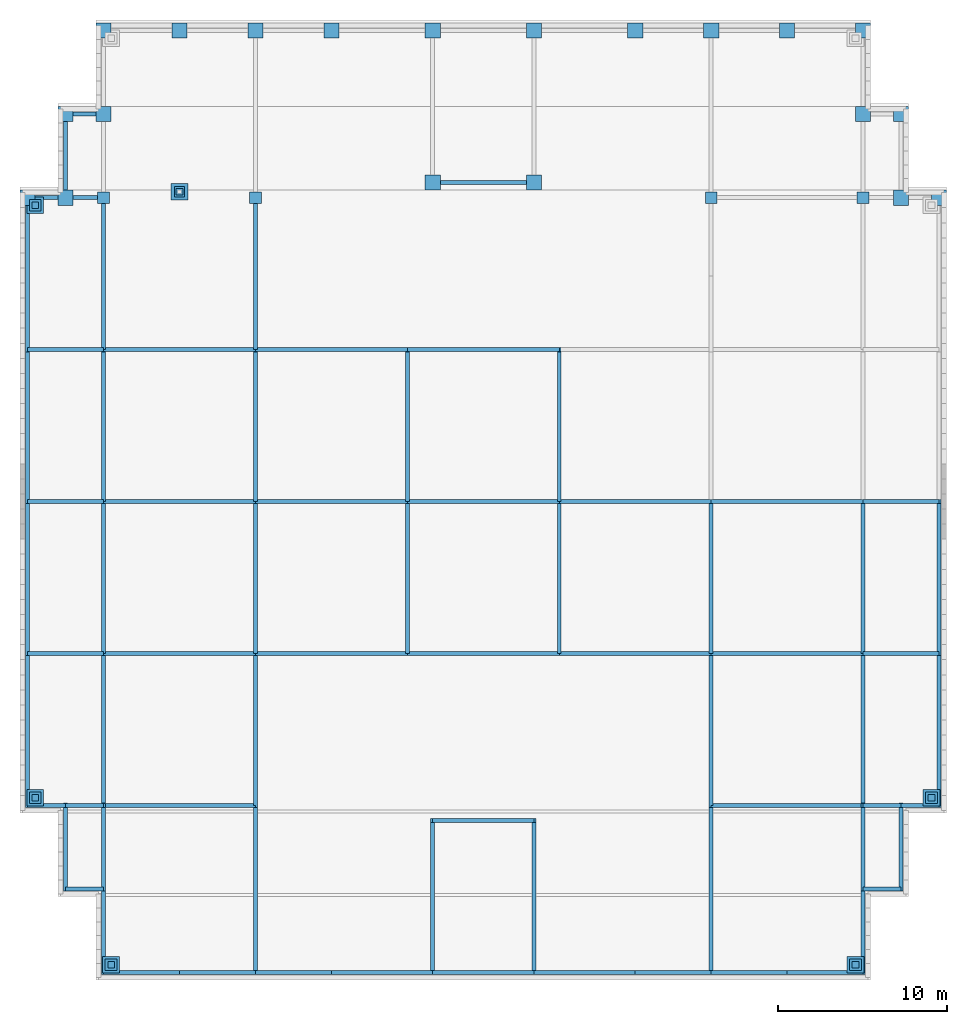
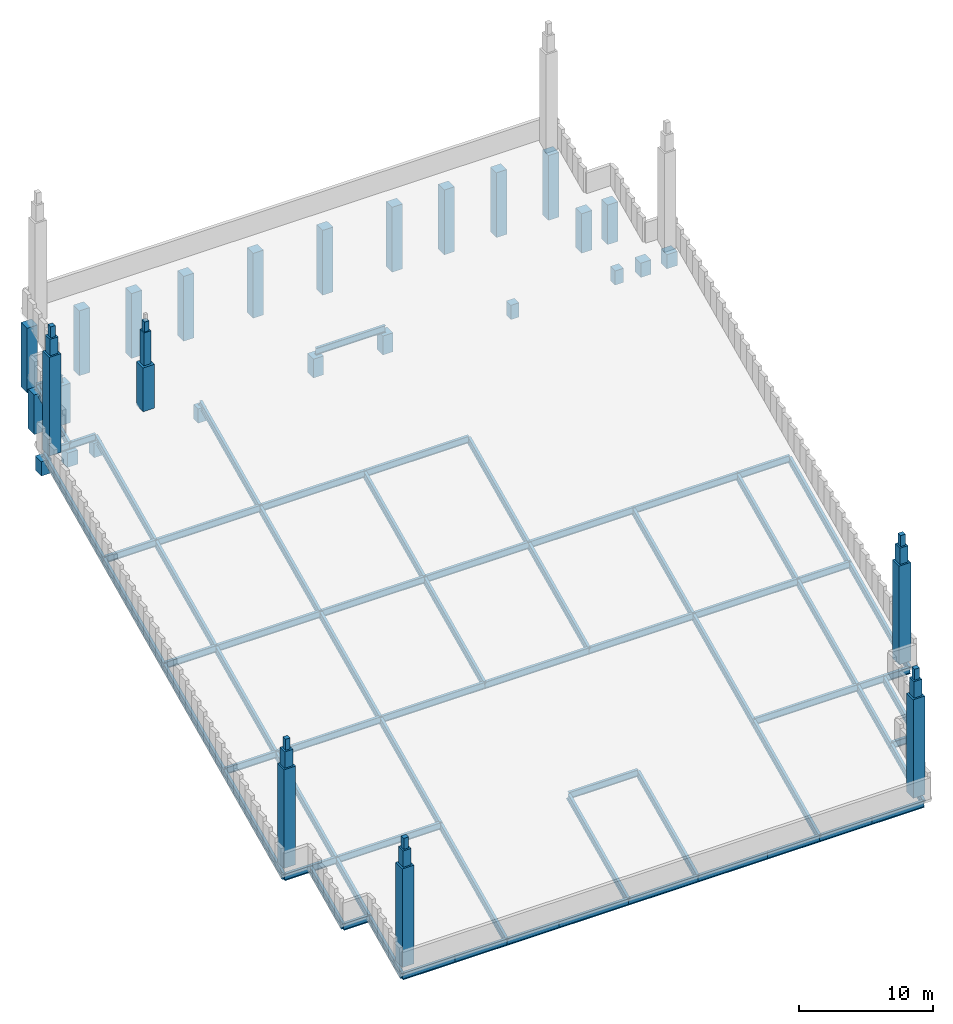
# One storey, part 1 of 5: 73 beams, 24 columns, 18 members.
"""IFC4 building model written with IfcOpenShell, lengths in metres."""

from ifc_helpers import new_model, si_unit, direction, frame, origin, origin_2d, place, context, subcontext, project, spatial, rectangle, i_section, extrude, material, material_profile, profile_set, type_object, element, save


model = new_model("IFC4")

# Units and contexts
model_context = context("Model", 3, precision=1e-05, world=origin(), true_north=direction((0.0, 1.0)))
body_context = subcontext(model_context, "Body", "Model", "MODEL_VIEW")
ifc_project = project(units=[si_unit("LENGTHUNIT", "METRE"), si_unit("AREAUNIT", "SQUARE_METRE"), si_unit("VOLUMEUNIT", "CUBIC_METRE"), si_unit("PLANEANGLEUNIT", "RADIAN"), si_unit("MASSUNIT", "GRAM", prefix="KILO")], contexts=[model_context])

# Site, building, storey
site_placement = place(None, origin())
site = spatial("IfcSite", under=ifc_project, at=site_placement, CompositionType="ELEMENT")
building_placement = place(site_placement, origin())
building = spatial("IfcBuilding", under=site, at=building_placement, Name="Corbelhall Arena Tower", CompositionType="ELEMENT")
storey_placement = place(building_placement, frame((0.0, 0.0, 391.0)))
storey = spatial("IfcBuildingStorey", under=building, at=storey_placement, Name="Roof", CompositionType="ELEMENT", Elevation=391.0)

# Columns
ifc_material_1 = material(Name="Concrete C80/95", Category="concrete")
ifc_material_profile_1 = material_profile(ifc_material_1, rectangle(XDim=0.699951171875, YDim=0.699951171875, at=origin_2d()))
ifc_profile_set_1 = profile_set([ifc_material_profile_1], Name="Concrete C80/95")
column_type_1 = type_object("IfcColumnType", Name="ST-COL-RC 700x700", PredefinedType="COLUMN", material=ifc_profile_set_1)
for number, where, z_axis, x_axis, name in (
    (1, (13.5, 18.0, 0.0), (0.0, 0.0, 1.0), (1.0, 0.0, 0.0), "Column IE13+1800"),
    (2, (22.5, 18.0, 0.0), (0.0, 0.0, 1.0), (1.0, 0.0, 0.0), "Column IE22+1800"),
    (3, (-13.5, 18.0, 0.0), (0.0, 0.0, 1.0), (1.0, 0.0, 0.0), "Column IW13+1800"),
    (4, (-22.5, 18.0, 0.0), (0.0, 0.0, 1.0), (1.0, 0.0, 0.0), "Column IW22+1800"),
):
    element("IfcColumn", number, at=place(storey_placement, frame(where, z_axis=z_axis, x_axis=x_axis)), inside=storey, type_object=column_type_1, Name=name, PredefinedType="COLUMN", context=body_context, shape_type="SweptSolid", body=[
        extrude(rectangle(XDim=0.699951171875, YDim=0.699951171875, at=origin_2d()), origin(), (0.0, 0.0, 1.0), 1.30615234375),
    ])
ifc_material_profile_2 = material_profile(ifc_material_1, rectangle(XDim=0.89990234375, YDim=0.89990234375, at=origin_2d()))
ifc_profile_set_2 = profile_set([ifc_material_profile_2], Name="Concrete C80/95")
column_type_2 = type_object("IfcColumnType", Name="ST-COL-RC 900x900", PredefinedType="COLUMN", material=ifc_profile_set_2)
column_1_placement = place(storey_placement, frame((27.0, 18.0, 0.0), z_axis=(0.0, 0.0, 1.0), x_axis=(0.0, 1.0, 0.0)))
element("IfcColumn", 5, at=column_1_placement, inside=storey, type_object=column_type_2, Name="Column PE+1800", PredefinedType="COLUMN", context=body_context, shape_type="SweptSolid", body=[
    extrude(rectangle(XDim=0.89990234375, YDim=0.89990234375, at=origin_2d()), origin(), (0.0, 0.0, 1.0), 1.30615234375),
])
for number, where, z_axis, x_axis, name in (
    (6, (3.0, 27.89990234375, 0.0), (0.0, 0.0, 1.0), (1.0, 0.0, 0.0), "Column PNE0300"),
    (7, (9.0, 27.89990234375, 0.0), (0.0, 0.0, 1.0), (1.0, 0.0, 0.0), "Column PNE0900"),
    (8, (13.5, 27.89990234375, 0.0), (0.0, 0.0, 1.0), (1.0, 0.0, 0.0), "Column PNE1350"),
    (9, (18.0, 27.89990234375, 0.0), (0.0, 0.0, 1.0), (1.0, 0.0, 0.0), "Column PNE1800"),
    (10, (22.5, 27.89990234375, 0.0), (0.0, 0.0, 1.0), (1.0, 0.0, 0.0), "Column PNE2250"),
    (11, (-3.0, 27.89990234375, 0.0), (0.0, 0.0, 1.0), (1.0, 0.0, 0.0), "Column PNW0300"),
    (12, (-9.0, 27.89990234375, 0.0), (0.0, 0.0, 1.0), (1.0, 0.0, 0.0), "Column PNW0900"),
    (13, (-13.5, 27.89990234375, 0.0), (0.0, 0.0, 1.0), (1.0, 0.0, 0.0), "Column PNW1350"),
    (14, (-18.0, 27.89990234375, 0.0), (0.0, 0.0, 1.0), (1.0, 0.0, 0.0), "Column PNW1800"),
    (15, (-22.5, 27.89990234375, 0.0), (0.0, 0.0, 1.0), (1.0, 0.0, 0.0), "Column PNW2250"),
):
    element("IfcColumn", number, at=place(storey_placement, frame(where, z_axis=z_axis, x_axis=x_axis)), inside=storey, type_object=column_type_2, Name=name, PredefinedType="COLUMN", context=body_context, shape_type="SweptSolid", body=[
        extrude(rectangle(XDim=0.89990234375, YDim=0.89990234375, at=origin_2d()), origin(), (0.0, 0.0, 1.0), 5.9189453125),
    ])
column_2_placement = place(storey_placement, frame((-27.0, 18.0, 0.0), z_axis=(0.0, 0.0, 1.0), x_axis=(0.0, 1.0, 0.0)))
element("IfcColumn", 16, at=column_2_placement, inside=storey, type_object=column_type_2, Name="Column PW+1800", PredefinedType="COLUMN", context=body_context, shape_type="SweptSolid", body=[
    extrude(rectangle(XDim=0.89990234375, YDim=0.89990234375, at=origin_2d()), origin(), (0.0, 0.0, 1.0), 1.30615234375),
])
for number, where, z_axis, x_axis, name in (
    (17, (3.0, 18.89990234375, 0.0), (0.0, 0.0, 1.0), (1.0, 0.0, 0.0), "Column SLNE2"),
    (18, (-3.0, 18.89990234375, 0.0), (0.0, 0.0, 1.0), (1.0, 0.0, 0.0), "Column SLNW2"),
):
    element("IfcColumn", number, at=place(storey_placement, frame(where, z_axis=z_axis, x_axis=x_axis)), inside=storey, type_object=column_type_2, Name=name, PredefinedType="COLUMN", context=body_context, shape_type="SweptSolid", body=[
        extrude(rectangle(XDim=0.89990234375, YDim=0.89990234375, at=origin_2d()), origin(), (0.0, 0.0, 1.0), 1.725341796875),
    ])
for number, where, z_axis, x_axis, name in (
    (19, (22.5, 22.949951171875, 0.0), (0.0, 0.0, 1.0), (1.0, 0.0, 0.0), "Column XNE1"),
    (20, (24.75, 22.949951171875, 0.0), (0.0, 0.0, 1.0), (1.0, 0.0, 0.0), "Column XNE2"),
):
    element("IfcColumn", number, at=place(storey_placement, frame(where, z_axis=z_axis, x_axis=x_axis)), inside=storey, type_object=column_type_2, Name=name, PredefinedType="COLUMN", context=body_context, shape_type="SweptSolid", body=[
        extrude(rectangle(XDim=0.89990234375, YDim=0.89990234375, at=origin_2d()), origin(), (0.0, 0.0, 1.0), 3.612548828125),
    ])
column_3_placement = place(storey_placement, frame((24.75, 18.0, 0.0), z_axis=(0.0, 0.0, 1.0), x_axis=(1.0, 0.0, 0.0)))
element("IfcColumn", 21, at=column_3_placement, inside=storey, type_object=column_type_2, Name="Column XNE3", PredefinedType="COLUMN", context=body_context, shape_type="SweptSolid", body=[
    extrude(rectangle(XDim=0.89990234375, YDim=0.89990234375, at=origin_2d()), origin(), (0.0, 0.0, 1.0), 1.30615234375),
])
for number, where, z_axis, x_axis, name in (
    (22, (-22.5, 22.949951171875, 0.0), (0.0, 0.0, 1.0), (1.0, 0.0, 0.0), "Column XNW1"),
    (23, (-24.75, 22.949951171875, 0.0), (0.0, 0.0, 1.0), (1.0, 0.0, 0.0), "Column XNW2"),
):
    element("IfcColumn", number, at=place(storey_placement, frame(where, z_axis=z_axis, x_axis=x_axis)), inside=storey, type_object=column_type_2, Name=name, PredefinedType="COLUMN", context=body_context, shape_type="SweptSolid", body=[
        extrude(rectangle(XDim=0.89990234375, YDim=0.89990234375, at=origin_2d()), origin(), (0.0, 0.0, 1.0), 3.612548828125),
    ])
column_4_placement = place(storey_placement, frame((-24.75, 18.0, 0.0), z_axis=(0.0, 0.0, 1.0), x_axis=(1.0, 0.0, 0.0)))
element("IfcColumn", 24, at=column_4_placement, inside=storey, type_object=column_type_2, Name="Column XNW3", PredefinedType="COLUMN", context=body_context, shape_type="SweptSolid", body=[
    extrude(rectangle(XDim=0.89990234375, YDim=0.89990234375, at=origin_2d()), origin(), (0.0, 0.0, 1.0), 1.30615234375),
])

# Members
ifc_material_2 = material(Name="Cast aluminium bronze finish", Category="aluminium")
ifc_material_profile_3 = material_profile(ifc_material_2, rectangle(XDim=0.60009765625, YDim=0.60009765625, at=origin_2d()))
ifc_profile_set_3 = profile_set([ifc_material_profile_3], Name="Cast aluminium bronze finish")
member_type_1 = type_object("IfcMemberType", Name="EV-PN1 Pinnacle", PredefinedType="USERDEFINED", material=ifc_profile_set_3)
member_1_placement = place(storey_placement, frame((-18.0, 18.35009765625, 6.55029296875), z_axis=(0.0, 0.0, 1.0), x_axis=(1.0, 0.0, 0.0)))
element("IfcMember", 25, at=member_1_placement, inside=storey, type_object=member_type_1, Name="Turret pinnacle finial", ObjectType="pinnacle", PredefinedType="USERDEFINED", context=body_context, shape_type="SweptSolid", body=[
    extrude(rectangle(XDim=0.60009765625, YDim=0.60009765625, at=origin_2d()), origin(), (0.0, 0.0, 1.0), 3.0),
])
ifc_material_profile_4 = material_profile(ifc_material_2, rectangle(XDim=1.0, YDim=1.0, at=origin_2d()))
ifc_profile_set_4 = profile_set([ifc_material_profile_4], Name="Cast aluminium bronze finish")
member_type_2 = type_object("IfcMemberType", Name="EV-PN2 Turret pinnacle shaft", PredefinedType="USERDEFINED", material=ifc_profile_set_4)
member_2_placement = place(storey_placement, frame((-18.0, 18.35009765625, 2.55029296875), z_axis=(0.0, 0.0, 1.0), x_axis=(1.0, 0.0, 0.0)))
element("IfcMember", 26, at=member_2_placement, inside=storey, type_object=member_type_2, Name="Turret pinnacle shaft", ObjectType="pinnacle", PredefinedType="USERDEFINED", context=body_context, shape_type="SweptSolid", body=[
    extrude(rectangle(XDim=1.0, YDim=1.0, at=origin_2d()), origin(), (0.0, 0.0, 1.0), 4.0),
])
ifc_material_profile_5 = material_profile(ifc_material_2, rectangle(XDim=1.0, YDim=1.0, at=origin_2d()))
ifc_profile_set_5 = profile_set([ifc_material_profile_5], Name="Cast aluminium bronze finish")
member_type_3 = type_object("IfcMemberType", Name="EV-PN3 Crown finial", PredefinedType="USERDEFINED", material=ifc_profile_set_5)
for number, where, z_axis, x_axis, name in (
    (27, (26.550048828125, -17.550048828125, -14.3603515625), (0.0, 0.0, 1.0), (1.0, 0.0, 0.0), "Crown finial"),
    (28, (22.050048828125, -27.449951171875, -18.973388671875), (0.0, 0.0, 1.0), (1.0, 0.0, 0.0), "Crown finial"),
    (29, (-22.050048828125, -27.449951171875, -18.973388671875), (0.0, 0.0, 1.0), (1.0, 0.0, 0.0), "Crown finial"),
    (30, (-26.550048828125, -17.550048828125, -14.3603515625), (0.0, 0.0, 1.0), (1.0, 0.0, 0.0), "Crown finial"),
    (31, (-26.550048828125, 17.550048828125, 1.994384765625), (0.0, 0.0, 1.0), (1.0, 0.0, 0.0), "Crown finial"),
):
    element("IfcMember", number, at=place(storey_placement, frame(where, z_axis=z_axis, x_axis=x_axis)), inside=storey, type_object=member_type_3, Name=name, ObjectType="pinnacle", PredefinedType="USERDEFINED", context=body_context, shape_type="SweptSolid", body=[
        extrude(rectangle(XDim=1.0, YDim=1.0, at=origin_2d()), origin(), (0.0, 0.0, 1.0), 9.0),
    ])
ifc_material_profile_6 = material_profile(ifc_material_2, rectangle(XDim=0.699951171875, YDim=0.699951171875, at=origin_2d()))
ifc_profile_set_6 = profile_set([ifc_material_profile_6], Name="Cast aluminium bronze finish")
member_type_4 = type_object("IfcMemberType", Name="EV-PN4 Pinnacle upper stage 700", PredefinedType="USERDEFINED", material=ifc_profile_set_6)
for number, where, z_axis, x_axis, name in (
    (32, (26.550048828125, -17.550048828125, -5.3603515625), (0.0, 0.0, 1.0), (1.0, 0.0, 0.0), "Pinnacle upper stage"),
    (33, (22.050048828125, -27.449951171875, -9.973388671875), (0.0, 0.0, 1.0), (1.0, 0.0, 0.0), "Pinnacle upper stage"),
    (34, (-22.050048828125, -27.449951171875, -9.973388671875), (0.0, 0.0, 1.0), (1.0, 0.0, 0.0), "Pinnacle upper stage"),
    (35, (-26.550048828125, -17.550048828125, -5.3603515625), (0.0, 0.0, 1.0), (1.0, 0.0, 0.0), "Pinnacle upper stage"),
    (36, (-26.550048828125, 17.550048828125, 10.994384765625), (0.0, 0.0, 1.0), (1.0, 0.0, 0.0), "Pinnacle upper stage"),
):
    element("IfcMember", number, at=place(storey_placement, frame(where, z_axis=z_axis, x_axis=x_axis)), inside=storey, type_object=member_type_4, Name=name, ObjectType="pinnacle stage", PredefinedType="USERDEFINED", context=body_context, shape_type="SweptSolid", body=[
        extrude(rectangle(XDim=0.699951171875, YDim=0.699951171875, at=origin_2d()), origin(), (0.0, 0.0, 1.0), 1.5),
    ])
ifc_material_profile_7 = material_profile(ifc_material_2, rectangle(XDim=0.39990234375, YDim=0.39990234375, at=origin_2d()))
ifc_profile_set_7 = profile_set([ifc_material_profile_7], Name="Cast aluminium bronze finish")
member_type_5 = type_object("IfcMemberType", Name="EV-PN5 Pinnacle spire 400", PredefinedType="USERDEFINED", material=ifc_profile_set_7)
for number, where, z_axis, x_axis, name in (
    (37, (26.550048828125, -17.550048828125, -3.8603515625), (0.0, 0.0, 1.0), (1.0, 0.0, 0.0), "Pinnacle spire"),
    (38, (22.050048828125, -27.449951171875, -8.473388671875), (0.0, 0.0, 1.0), (1.0, 0.0, 0.0), "Pinnacle spire"),
    (39, (-22.050048828125, -27.449951171875, -8.473388671875), (0.0, 0.0, 1.0), (1.0, 0.0, 0.0), "Pinnacle spire"),
    (40, (-26.550048828125, -17.550048828125, -3.8603515625), (0.0, 0.0, 1.0), (1.0, 0.0, 0.0), "Pinnacle spire"),
    (41, (-26.550048828125, 17.550048828125, 12.494384765625), (0.0, 0.0, 1.0), (1.0, 0.0, 0.0), "Pinnacle spire"),
):
    element("IfcMember", number, at=place(storey_placement, frame(where, z_axis=z_axis, x_axis=x_axis)), inside=storey, type_object=member_type_5, Name=name, ObjectType="pinnacle spire", PredefinedType="USERDEFINED", context=body_context, shape_type="SweptSolid", body=[
        extrude(rectangle(XDim=0.39990234375, YDim=0.39990234375, at=origin_2d()), origin(), (0.0, 0.0, 1.0), 1.0),
    ])
ifc_material_profile_8 = material_profile(ifc_material_2, rectangle(XDim=0.39990234375, YDim=0.39990234375, at=origin_2d()))
ifc_profile_set_8 = profile_set([ifc_material_profile_8], Name="Cast aluminium bronze finish")
member_type_6 = type_object("IfcMemberType", Name="EV-PN6 Pinnacle upper stage 400", PredefinedType="USERDEFINED", material=ifc_profile_set_8)
member_3_placement = place(storey_placement, frame((-18.0, 18.35009765625, 9.55029296875), z_axis=(0.0, 0.0, 1.0), x_axis=(1.0, 0.0, 0.0)))
element("IfcMember", 42, at=member_3_placement, inside=storey, type_object=member_type_6, Name="Pinnacle upper stage", ObjectType="pinnacle stage", PredefinedType="USERDEFINED", context=body_context, shape_type="SweptSolid", body=[
    extrude(rectangle(XDim=0.39990234375, YDim=0.39990234375, at=origin_2d()), origin(), (0.0, 0.0, 1.0), 0.89990234375),
])

# Beams
ifc_material_3 = material(Name="Steel ASTM A992 Gr50", Category="steel")
ifc_material_profile_9 = material_profile(ifc_material_3, i_section(OverallWidth=0.23046875, OverallDepth=0.6171875, WebThickness=0.01318359375, FlangeThickness=0.022216796875, at=origin_2d()))
ifc_profile_set_9 = profile_set([ifc_material_profile_9], Name="Steel ASTM A992 Gr50")
beam_type = type_object("IfcBeamType", Name="ST-BEAM-W24x94", PredefinedType="BEAM", material=ifc_profile_set_9)
for number, where, z_axis, x_axis, name in (
    (43, (-27.0, -18.0, -15.19140625), (0.0, 0.906429857547, 0.422356381919), (-1.0, 0.0, 0.0), "Roof beam 1"),
    (44, (-27.0, -9.0, -10.997802734375), (0.0, 0.906429857547, 0.422356381919), (-1.0, 0.0, 0.0), "Roof beam 2"),
    (45, (-27.0, 0.0, -6.80419921875), (0.0, 0.906429857547, 0.422356381919), (-1.0, 0.0, 0.0), "Roof beam 3"),
    (46, (-27.0, 9.0, -2.610595703125), (0.0, 0.906439270787, 0.422336179336), (-1.0, 0.0, 0.0), "Roof beam 4"),
):
    element("IfcBeam", number, at=place(storey_placement, frame(where, z_axis=z_axis, x_axis=x_axis)), inside=storey, type_object=beam_type, Name=name, PredefinedType="BEAM", context=body_context, shape_type="SweptSolid", body=[
        extrude(i_section(OverallWidth=0.23046875, OverallDepth=0.6171875, WebThickness=0.01318359375, FlangeThickness=0.022216796875, at=origin_2d()), origin(), (0.0, 0.0, 1.0), 9.928955078125),
    ])
for number, where, z_axis, x_axis, name in (
    (47, (-24.75, -22.949951171875, -17.497802734375), (0.0, 0.9064342529, 0.422346948811), (-1.0, 0.0, 0.0), "Roof beam 5"),
    (48, (-24.75, 18.0, 1.582763671875), (0.0, 0.906417137313, 0.422383680066), (-1.0, 0.0, 0.0), "Roof beam 6"),
    (49, (-22.5, -27.89990234375, -19.80419921875), (0.0, 0.9064342529, 0.422346948811), (-1.0, 0.0, 0.0), "Roof beam 7"),
    (50, (-22.5, -22.949951171875, -17.497802734375), (0.0, 0.9064342529, 0.422346948811), (-1.0, 0.0, 0.0), "Roof beam 8"),
):
    element("IfcBeam", number, at=place(storey_placement, frame(where, z_axis=z_axis, x_axis=x_axis)), inside=storey, type_object=beam_type, Name=name, PredefinedType="BEAM", context=body_context, shape_type="SweptSolid", body=[
        extrude(i_section(OverallWidth=0.23046875, OverallDepth=0.6171875, WebThickness=0.01318359375, FlangeThickness=0.022216796875, at=origin_2d()), origin(), (0.0, 0.0, 1.0), 5.4609375),
    ])
for number, where, z_axis, x_axis, name in (
    (51, (-22.5, -18.0, -15.19140625), (0.0, 0.906429857547, 0.422356381919), (-1.0, 0.0, 0.0), "Roof beam 9"),
    (52, (-22.5, -9.0, -10.997802734375), (0.0, 0.906429857547, 0.422356381919), (-1.0, 0.0, 0.0), "Roof beam 10"),
    (53, (-22.5, 0.0, -6.80419921875), (0.0, 0.906429857547, 0.422356381919), (-1.0, 0.0, 0.0), "Roof beam 11"),
    (54, (-22.5, 9.0, -2.610595703125), (0.0, 0.906439270787, 0.422336179336), (-1.0, 0.0, 0.0), "Roof beam 12"),
):
    element("IfcBeam", number, at=place(storey_placement, frame(where, z_axis=z_axis, x_axis=x_axis)), inside=storey, type_object=beam_type, Name=name, PredefinedType="BEAM", context=body_context, shape_type="SweptSolid", body=[
        extrude(i_section(OverallWidth=0.23046875, OverallDepth=0.6171875, WebThickness=0.01318359375, FlangeThickness=0.022216796875, at=origin_2d()), origin(), (0.0, 0.0, 1.0), 9.928955078125),
    ])
beam_1_placement = place(storey_placement, frame((-13.5, -27.89990234375, -19.80419921875), z_axis=(0.0, 0.9064342529, 0.422346948811), x_axis=(-1.0, 0.0, 0.0)))
element("IfcBeam", 55, at=beam_1_placement, inside=storey, type_object=beam_type, Name="Roof beam 15", PredefinedType="BEAM", context=body_context, shape_type="SweptSolid", body=[
    extrude(i_section(OverallWidth=0.23046875, OverallDepth=0.6171875, WebThickness=0.01318359375, FlangeThickness=0.022216796875, at=origin_2d()), origin(), (0.0, 0.0, 1.0), 10.921875),
])
for number, where, z_axis, x_axis, name in (
    (56, (-13.5, -18.0, -15.19140625), (0.0, 0.906429857547, 0.422356381919), (-1.0, 0.0, 0.0), "Roof beam 16"),
    (57, (-13.5, -9.0, -10.997802734375), (0.0, 0.906429857547, 0.422356381919), (-1.0, 0.0, 0.0), "Roof beam 17"),
    (58, (-13.5, 0.0, -6.80419921875), (0.0, 0.906429857547, 0.422356381919), (-1.0, 0.0, 0.0), "Roof beam 18"),
    (59, (-13.5, 9.0, -2.610595703125), (0.0, 0.906439270787, 0.422336179336), (-1.0, 0.0, 0.0), "Roof beam 19"),
    (60, (-4.5, -9.0, -10.997802734375), (0.0, 0.906429857547, 0.422356381919), (-1.0, 0.0, 0.0), "Roof beam 21"),
    (61, (-4.5, 0.0, -6.80419921875), (0.0, 0.906429857547, 0.422356381919), (-1.0, 0.0, 0.0), "Roof beam 22"),
    (62, (-3.0, -27.89990234375, -19.80419921875), (0.0, 0.906429857547, 0.422356381919), (-1.0, 0.0, 0.0), "Roof beam 23"),
    (63, (3.0, -27.89990234375, -19.80419921875), (0.0, 0.906429857547, 0.422356381919), (-1.0, 0.0, 0.0), "Roof beam 25"),
    (64, (4.5, -9.0, -10.997802734375), (0.0, 0.906429857547, 0.422356381919), (-1.0, 0.0, 0.0), "Roof beam 27"),
    (65, (4.5, 0.0, -6.80419921875), (0.0, 0.906429857547, 0.422356381919), (-1.0, 0.0, 0.0), "Roof beam 28"),
):
    element("IfcBeam", number, at=place(storey_placement, frame(where, z_axis=z_axis, x_axis=x_axis)), inside=storey, type_object=beam_type, Name=name, PredefinedType="BEAM", context=body_context, shape_type="SweptSolid", body=[
        extrude(i_section(OverallWidth=0.23046875, OverallDepth=0.6171875, WebThickness=0.01318359375, FlangeThickness=0.022216796875, at=origin_2d()), origin(), (0.0, 0.0, 1.0), 9.928955078125),
    ])
beam_2_placement = place(storey_placement, frame((13.5, -27.89990234375, -19.80419921875), z_axis=(0.0, 0.9064342529, 0.422346948811), x_axis=(-1.0, 0.0, 0.0)))
element("IfcBeam", 66, at=beam_2_placement, inside=storey, type_object=beam_type, Name="Roof beam 29", PredefinedType="BEAM", context=body_context, shape_type="SweptSolid", body=[
    extrude(i_section(OverallWidth=0.23046875, OverallDepth=0.6171875, WebThickness=0.01318359375, FlangeThickness=0.022216796875, at=origin_2d()), origin(), (0.0, 0.0, 1.0), 10.921875),
])
for number, where, z_axis, x_axis, name in (
    (67, (13.5, -18.0, -15.19140625), (0.0, 0.906429857547, 0.422356381919), (-1.0, 0.0, 0.0), "Roof beam 30"),
    (68, (13.5, -9.0, -10.997802734375), (0.0, 0.906429857547, 0.422356381919), (-1.0, 0.0, 0.0), "Roof beam 31"),
):
    element("IfcBeam", number, at=place(storey_placement, frame(where, z_axis=z_axis, x_axis=x_axis)), inside=storey, type_object=beam_type, Name=name, PredefinedType="BEAM", context=body_context, shape_type="SweptSolid", body=[
        extrude(i_section(OverallWidth=0.23046875, OverallDepth=0.6171875, WebThickness=0.01318359375, FlangeThickness=0.022216796875, at=origin_2d()), origin(), (0.0, 0.0, 1.0), 9.928955078125),
    ])
for number, where, z_axis, x_axis, name in (
    (69, (22.5, -27.89990234375, -19.80419921875), (0.0, 0.9064342529, 0.422346948811), (-1.0, 0.0, 0.0), "Roof beam 36"),
    (70, (22.5, -22.949951171875, -17.497802734375), (0.0, 0.9064342529, 0.422346948811), (-1.0, 0.0, 0.0), "Roof beam 37"),
):
    element("IfcBeam", number, at=place(storey_placement, frame(where, z_axis=z_axis, x_axis=x_axis)), inside=storey, type_object=beam_type, Name=name, PredefinedType="BEAM", context=body_context, shape_type="SweptSolid", body=[
        extrude(i_section(OverallWidth=0.23046875, OverallDepth=0.6171875, WebThickness=0.01318359375, FlangeThickness=0.022216796875, at=origin_2d()), origin(), (0.0, 0.0, 1.0), 5.4609375),
    ])
for number, where, z_axis, x_axis, name in (
    (71, (22.5, -18.0, -15.19140625), (0.0, 0.906429857547, 0.422356381919), (-1.0, 0.0, 0.0), "Roof beam 38"),
    (72, (22.5, -9.0, -10.997802734375), (0.0, 0.906429857547, 0.422356381919), (-1.0, 0.0, 0.0), "Roof beam 39"),
):
    element("IfcBeam", number, at=place(storey_placement, frame(where, z_axis=z_axis, x_axis=x_axis)), inside=storey, type_object=beam_type, Name=name, PredefinedType="BEAM", context=body_context, shape_type="SweptSolid", body=[
        extrude(i_section(OverallWidth=0.23046875, OverallDepth=0.6171875, WebThickness=0.01318359375, FlangeThickness=0.022216796875, at=origin_2d()), origin(), (0.0, 0.0, 1.0), 9.928955078125),
    ])
beam_3_placement = place(storey_placement, frame((24.75, -22.949951171875, -17.497802734375), z_axis=(0.0, 0.9064342529, 0.422346948811), x_axis=(-1.0, 0.0, 0.0)))
element("IfcBeam", 73, at=beam_3_placement, inside=storey, type_object=beam_type, Name="Roof beam 44", PredefinedType="BEAM", context=body_context, shape_type="SweptSolid", body=[
    extrude(i_section(OverallWidth=0.23046875, OverallDepth=0.6171875, WebThickness=0.01318359375, FlangeThickness=0.022216796875, at=origin_2d()), origin(), (0.0, 0.0, 1.0), 5.4609375),
])
for number, where, z_axis, x_axis, name in (
    (74, (27.0, -18.0, -15.19140625), (0.0, 0.906429857547, 0.422356381919), (-1.0, 0.0, 0.0), "Roof beam 46"),
    (75, (27.0, -9.0, -10.997802734375), (0.0, 0.906429857547, 0.422356381919), (-1.0, 0.0, 0.0), "Roof beam 47"),
):
    element("IfcBeam", number, at=place(storey_placement, frame(where, z_axis=z_axis, x_axis=x_axis)), inside=storey, type_object=beam_type, Name=name, PredefinedType="BEAM", context=body_context, shape_type="SweptSolid", body=[
        extrude(i_section(OverallWidth=0.23046875, OverallDepth=0.6171875, WebThickness=0.01318359375, FlangeThickness=0.022216796875, at=origin_2d()), origin(), (0.0, 0.0, 1.0), 9.928955078125),
    ])
for number, where, z_axis, x_axis, name in (
    (76, (-22.5, -27.89990234375, -19.7724609375), (1.0, 0.0, 0.0), (0.0, 1.0, 0.0), "Roof beam 50"),
    (77, (-18.0, -27.89990234375, -19.7724609375), (1.0, 0.0, 0.0), (0.0, 1.0, 0.0), "Roof beam 51"),
    (78, (-13.5, -27.89990234375, -19.7724609375), (1.0, 0.0, 0.0), (0.0, 1.0, 0.0), "Roof beam 52"),
):
    element("IfcBeam", number, at=place(storey_placement, frame(where, z_axis=z_axis, x_axis=x_axis)), inside=storey, type_object=beam_type, Name=name, PredefinedType="BEAM", context=body_context, shape_type="SweptSolid", body=[
        extrude(i_section(OverallWidth=0.23046875, OverallDepth=0.6171875, WebThickness=0.01318359375, FlangeThickness=0.022216796875, at=origin_2d()), origin(), (0.0, 0.0, 1.0), 4.5),
    ])
for number, where, z_axis, x_axis, name in (
    (79, (-9.0, -27.89990234375, -19.7724609375), (1.0, 0.0, 0.0), (0.0, 1.0, 0.0), "Roof beam 53"),
    (80, (-3.0, -27.89990234375, -19.7724609375), (1.0, 0.0, 0.0), (0.0, 1.0, 0.0), "Roof beam 54"),
    (81, (3.0, -27.89990234375, -19.7724609375), (1.0, 0.0, 0.0), (0.0, 1.0, 0.0), "Roof beam 55"),
):
    element("IfcBeam", number, at=place(storey_placement, frame(where, z_axis=z_axis, x_axis=x_axis)), inside=storey, type_object=beam_type, Name=name, PredefinedType="BEAM", context=body_context, shape_type="SweptSolid", body=[
        extrude(i_section(OverallWidth=0.23046875, OverallDepth=0.6171875, WebThickness=0.01318359375, FlangeThickness=0.022216796875, at=origin_2d()), origin(), (0.0, 0.0, 1.0), 6.0),
    ])
for number, where, z_axis, x_axis, name in (
    (82, (9.0, -27.89990234375, -19.7724609375), (1.0, 0.0, 0.0), (0.0, 1.0, 0.0), "Roof beam 56"),
    (83, (13.5, -27.89990234375, -19.7724609375), (1.0, 0.0, 0.0), (0.0, 1.0, 0.0), "Roof beam 57"),
    (84, (18.0, -27.89990234375, -19.7724609375), (1.0, 0.0, 0.0), (0.0, 1.0, 0.0), "Roof beam 58"),
):
    element("IfcBeam", number, at=place(storey_placement, frame(where, z_axis=z_axis, x_axis=x_axis)), inside=storey, type_object=beam_type, Name=name, PredefinedType="BEAM", context=body_context, shape_type="SweptSolid", body=[
        extrude(i_section(OverallWidth=0.23046875, OverallDepth=0.6171875, WebThickness=0.01318359375, FlangeThickness=0.022216796875, at=origin_2d()), origin(), (0.0, 0.0, 1.0), 4.5),
    ])
for number, where, z_axis, x_axis, name in (
    (85, (-24.75, -22.949951171875, -17.466064453125), (1.0, 0.0, 0.0), (0.0, 1.0, 0.0), "Roof beam 59"),
    (86, (22.5, -22.949951171875, -17.466064453125), (1.0, 0.0, 0.0), (0.0, 1.0, 0.0), "Roof beam 60"),
):
    element("IfcBeam", number, at=place(storey_placement, frame(where, z_axis=z_axis, x_axis=x_axis)), inside=storey, type_object=beam_type, Name=name, PredefinedType="BEAM", context=body_context, shape_type="SweptSolid", body=[
        extrude(i_section(OverallWidth=0.23046875, OverallDepth=0.6171875, WebThickness=0.01318359375, FlangeThickness=0.022216796875, at=origin_2d()), origin(), (0.0, 0.0, 1.0), 2.25),
    ])
beam_4_placement = place(storey_placement, frame((-3.0, -18.89990234375, -15.578857421875), z_axis=(1.0, 0.0, 0.0), x_axis=(0.0, 1.0, 0.0)))
element("IfcBeam", 87, at=beam_4_placement, inside=storey, type_object=beam_type, Name="Roof beam 61", PredefinedType="BEAM", context=body_context, shape_type="SweptSolid", body=[
    extrude(i_section(OverallWidth=0.23046875, OverallDepth=0.6171875, WebThickness=0.01318359375, FlangeThickness=0.022216796875, at=origin_2d()), origin(), (0.0, 0.0, 1.0), 6.0),
])
for number, where, z_axis, x_axis, name in (
    (88, (-27.0, -18.0, -15.159423828125), (1.0, 0.0, 0.0), (0.0, 1.0, 0.0), "Roof beam 62"),
    (89, (-24.75, -18.0, -15.159423828125), (1.0, 0.0, 0.0), (0.0, 1.0, 0.0), "Roof beam 63"),
):
    element("IfcBeam", number, at=place(storey_placement, frame(where, z_axis=z_axis, x_axis=x_axis)), inside=storey, type_object=beam_type, Name=name, PredefinedType="BEAM", context=body_context, shape_type="SweptSolid", body=[
        extrude(i_section(OverallWidth=0.23046875, OverallDepth=0.6171875, WebThickness=0.01318359375, FlangeThickness=0.022216796875, at=origin_2d()), origin(), (0.0, 0.0, 1.0), 2.25),
    ])
for number, where, z_axis, x_axis, name in (
    (90, (-22.5, -18.0, -15.159423828125), (1.0, 0.0, 0.0), (0.0, 1.0, 0.0), "Roof beam 64"),
    (91, (13.5, -18.0, -15.159423828125), (1.0, 0.0, 0.0), (0.0, 1.0, 0.0), "Roof beam 65"),
):
    element("IfcBeam", number, at=place(storey_placement, frame(where, z_axis=z_axis, x_axis=x_axis)), inside=storey, type_object=beam_type, Name=name, PredefinedType="BEAM", context=body_context, shape_type="SweptSolid", body=[
        extrude(i_section(OverallWidth=0.23046875, OverallDepth=0.6171875, WebThickness=0.01318359375, FlangeThickness=0.022216796875, at=origin_2d()), origin(), (0.0, 0.0, 1.0), 9.0),
    ])
for number, where, z_axis, x_axis, name in (
    (92, (22.5, -18.0, -15.159423828125), (1.0, 0.0, 0.0), (0.0, 1.0, 0.0), "Roof beam 66"),
    (93, (24.75, -18.0, -15.159423828125), (1.0, 0.0, 0.0), (0.0, 1.0, 0.0), "Roof beam 67"),
):
    element("IfcBeam", number, at=place(storey_placement, frame(where, z_axis=z_axis, x_axis=x_axis)), inside=storey, type_object=beam_type, Name=name, PredefinedType="BEAM", context=body_context, shape_type="SweptSolid", body=[
        extrude(i_section(OverallWidth=0.23046875, OverallDepth=0.6171875, WebThickness=0.01318359375, FlangeThickness=0.022216796875, at=origin_2d()), origin(), (0.0, 0.0, 1.0), 2.25),
    ])
beam_5_placement = place(storey_placement, frame((-27.0, -9.0, -10.966064453125), z_axis=(1.0, 0.0, 0.0), x_axis=(0.0, 1.0, 0.0)))
element("IfcBeam", 94, at=beam_5_placement, inside=storey, type_object=beam_type, Name="Roof beam 68", PredefinedType="BEAM", context=body_context, shape_type="SweptSolid", body=[
    extrude(i_section(OverallWidth=0.23046875, OverallDepth=0.6171875, WebThickness=0.01318359375, FlangeThickness=0.022216796875, at=origin_2d()), origin(), (0.0, 0.0, 1.0), 4.5),
])
for number, where, z_axis, x_axis, name in (
    (95, (-22.5, -9.0, -10.966064453125), (1.0, 0.0, 0.0), (0.0, 1.0, 0.0), "Roof beam 69"),
    (96, (-13.5, -9.0, -10.966064453125), (1.0, 0.0, 0.0), (0.0, 1.0, 0.0), "Roof beam 70"),
    (97, (-4.5, -9.0, -10.966064453125), (1.0, 0.0, 0.0), (0.0, 1.0, 0.0), "Roof beam 71"),
    (98, (4.5, -9.0, -10.966064453125), (1.0, 0.0, 0.0), (0.0, 1.0, 0.0), "Roof beam 72"),
    (99, (13.5, -9.0, -10.966064453125), (1.0, 0.0, 0.0), (0.0, 1.0, 0.0), "Roof beam 73"),
):
    element("IfcBeam", number, at=place(storey_placement, frame(where, z_axis=z_axis, x_axis=x_axis)), inside=storey, type_object=beam_type, Name=name, PredefinedType="BEAM", context=body_context, shape_type="SweptSolid", body=[
        extrude(i_section(OverallWidth=0.23046875, OverallDepth=0.6171875, WebThickness=0.01318359375, FlangeThickness=0.022216796875, at=origin_2d()), origin(), (0.0, 0.0, 1.0), 9.0),
    ])
for number, where, z_axis, x_axis, name in (
    (100, (22.5, -9.0, -10.966064453125), (1.0, 0.0, 0.0), (0.0, 1.0, 0.0), "Roof beam 74"),
    (101, (-27.0, 0.0, -6.7724609375), (1.0, 0.0, 0.0), (0.0, 1.0, 0.0), "Roof beam 75"),
):
    element("IfcBeam", number, at=place(storey_placement, frame(where, z_axis=z_axis, x_axis=x_axis)), inside=storey, type_object=beam_type, Name=name, PredefinedType="BEAM", context=body_context, shape_type="SweptSolid", body=[
        extrude(i_section(OverallWidth=0.23046875, OverallDepth=0.6171875, WebThickness=0.01318359375, FlangeThickness=0.022216796875, at=origin_2d()), origin(), (0.0, 0.0, 1.0), 4.5),
    ])
for number, where, z_axis, x_axis, name in (
    (102, (-22.5, 0.0, -6.7724609375), (1.0, 0.0, 0.0), (0.0, 1.0, 0.0), "Roof beam 76"),
    (103, (-13.5, 0.0, -6.7724609375), (1.0, 0.0, 0.0), (0.0, 1.0, 0.0), "Roof beam 77"),
    (104, (-4.5, 0.0, -6.7724609375), (1.0, 0.0, 0.0), (0.0, 1.0, 0.0), "Roof beam 78"),
    (105, (4.5, 0.0, -6.7724609375), (1.0, 0.0, 0.0), (0.0, 1.0, 0.0), "Roof beam 79"),
    (106, (13.5, 0.0, -6.7724609375), (1.0, 0.0, 0.0), (0.0, 1.0, 0.0), "Roof beam 80"),
):
    element("IfcBeam", number, at=place(storey_placement, frame(where, z_axis=z_axis, x_axis=x_axis)), inside=storey, type_object=beam_type, Name=name, PredefinedType="BEAM", context=body_context, shape_type="SweptSolid", body=[
        extrude(i_section(OverallWidth=0.23046875, OverallDepth=0.6171875, WebThickness=0.01318359375, FlangeThickness=0.022216796875, at=origin_2d()), origin(), (0.0, 0.0, 1.0), 9.0),
    ])
for number, where, z_axis, x_axis, name in (
    (107, (22.5, 0.0, -6.7724609375), (1.0, 0.0, 0.0), (0.0, 1.0, 0.0), "Roof beam 81"),
    (108, (-27.0, 9.0, -2.578857421875), (1.0, 0.0, 0.0), (0.0, 1.0, 0.0), "Roof beam 82"),
):
    element("IfcBeam", number, at=place(storey_placement, frame(where, z_axis=z_axis, x_axis=x_axis)), inside=storey, type_object=beam_type, Name=name, PredefinedType="BEAM", context=body_context, shape_type="SweptSolid", body=[
        extrude(i_section(OverallWidth=0.23046875, OverallDepth=0.6171875, WebThickness=0.01318359375, FlangeThickness=0.022216796875, at=origin_2d()), origin(), (0.0, 0.0, 1.0), 4.5),
    ])
for number, where, z_axis, x_axis, name in (
    (109, (-22.5, 9.0, -2.578857421875), (1.0, 0.0, 0.0), (0.0, 1.0, 0.0), "Roof beam 83"),
    (110, (-13.5, 9.0, -2.578857421875), (1.0, 0.0, 0.0), (0.0, 1.0, 0.0), "Roof beam 84"),
    (111, (-4.5, 9.0, -2.578857421875), (1.0, 0.0, 0.0), (0.0, 1.0, 0.0), "Roof beam 85"),
):
    element("IfcBeam", number, at=place(storey_placement, frame(where, z_axis=z_axis, x_axis=x_axis)), inside=storey, type_object=beam_type, Name=name, PredefinedType="BEAM", context=body_context, shape_type="SweptSolid", body=[
        extrude(i_section(OverallWidth=0.23046875, OverallDepth=0.6171875, WebThickness=0.01318359375, FlangeThickness=0.022216796875, at=origin_2d()), origin(), (0.0, 0.0, 1.0), 9.0),
    ])
for number, where, z_axis, x_axis, name in (
    (112, (-27.0, 18.0, 1.61474609375), (1.0, 0.0, 0.0), (0.0, 1.0, 0.0), "Roof beam 89"),
    (113, (-24.75, 18.0, 1.61474609375), (1.0, 0.0, 0.0), (0.0, 1.0, 0.0), "Roof beam 90"),
):
    element("IfcBeam", number, at=place(storey_placement, frame(where, z_axis=z_axis, x_axis=x_axis)), inside=storey, type_object=beam_type, Name=name, PredefinedType="BEAM", context=body_context, shape_type="SweptSolid", body=[
        extrude(i_section(OverallWidth=0.23046875, OverallDepth=0.6171875, WebThickness=0.01318359375, FlangeThickness=0.022216796875, at=origin_2d()), origin(), (0.0, 0.0, 1.0), 2.25),
    ])
beam_6_placement = place(storey_placement, frame((-3.0, 18.89990234375, 2.033935546875), z_axis=(1.0, 0.0, 0.0), x_axis=(0.0, 1.0, 0.0)))
element("IfcBeam", 114, at=beam_6_placement, inside=storey, type_object=beam_type, Name="Roof beam 94", PredefinedType="BEAM", context=body_context, shape_type="SweptSolid", body=[
    extrude(i_section(OverallWidth=0.23046875, OverallDepth=0.6171875, WebThickness=0.01318359375, FlangeThickness=0.022216796875, at=origin_2d()), origin(), (0.0, 0.0, 1.0), 6.0),
])
beam_7_placement = place(storey_placement, frame((-24.75, 22.949951171875, 3.921142578125), z_axis=(1.0, 0.0, 0.0), x_axis=(0.0, 1.0, 0.0)))
element("IfcBeam", 115, at=beam_7_placement, inside=storey, type_object=beam_type, Name="Roof beam 95", PredefinedType="BEAM", context=body_context, shape_type="SweptSolid", body=[
    extrude(i_section(OverallWidth=0.23046875, OverallDepth=0.6171875, WebThickness=0.01318359375, FlangeThickness=0.022216796875, at=origin_2d()), origin(), (0.0, 0.0, 1.0), 2.25),
])

save(model, "model.ifc")
